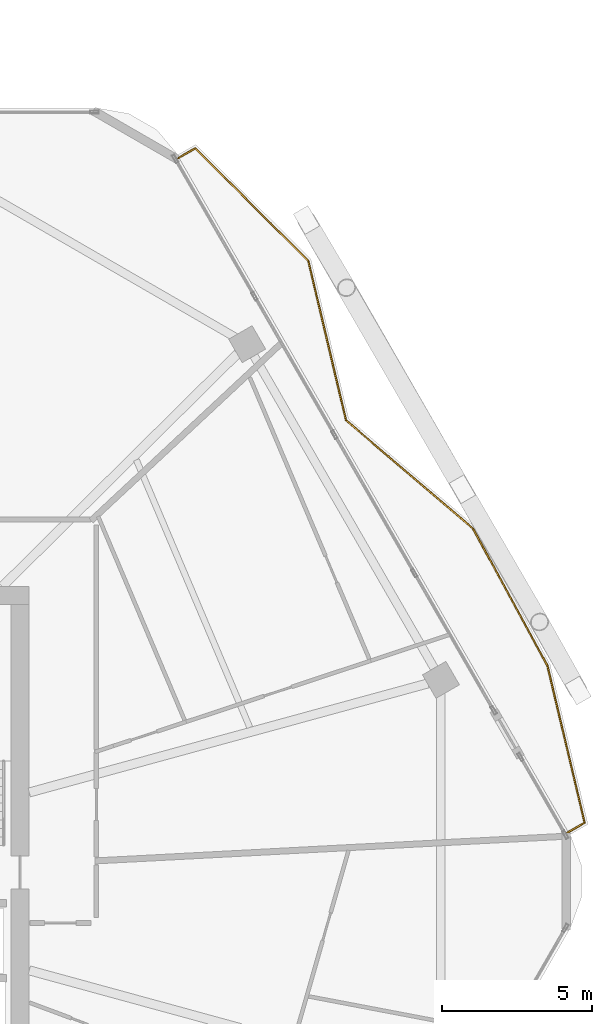
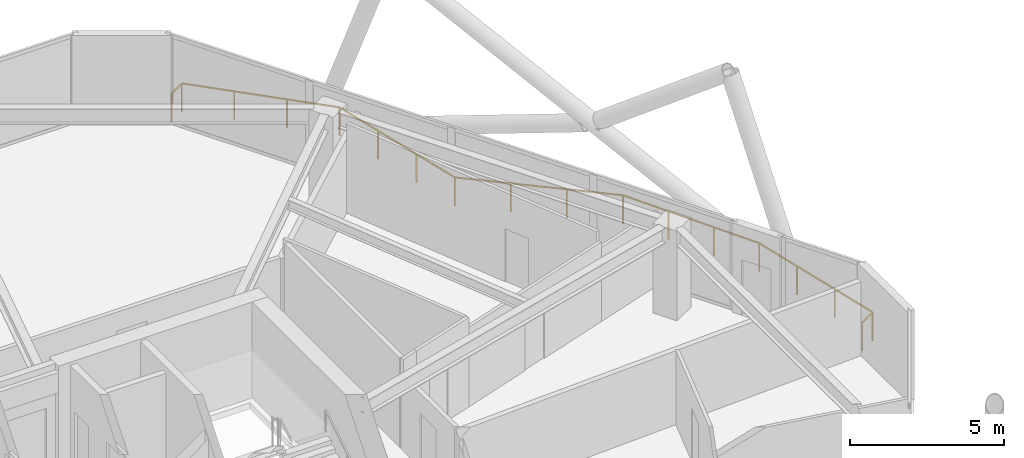
# One storey, part 27 of 27: 1 railing.
"""IFC4 building model written with IfcOpenShell, lengths in metres."""

from ifc_helpers import new_model, si_unit, direction, frame, origin, origin_2d, place, context, subcontext, project, spatial, rectangle, extrude, material, type_object, element, save


model = new_model("IFC4")

# Units and contexts
model_context = context("Model", 3, precision=1e-05, world=origin(), true_north=direction((0.0, 1.0)))
body_context = subcontext(model_context, "Body", "Model", "MODEL_VIEW")
ifc_project = project(units=[si_unit("LENGTHUNIT", "METRE"), si_unit("AREAUNIT", "SQUARE_METRE"), si_unit("VOLUMEUNIT", "CUBIC_METRE"), si_unit("PLANEANGLEUNIT", "RADIAN"), si_unit("MASSUNIT", "GRAM", prefix="KILO")], contexts=[model_context])

# Site, building, storey
site_placement = place(None, origin())
site = spatial("IfcSite", under=ifc_project, at=site_placement, CompositionType="ELEMENT")
building_placement = place(site_placement, origin())
building = spatial("IfcBuilding", under=site, at=building_placement, Name="Zuhravey Tower", CompositionType="ELEMENT")
storey_placement = place(building_placement, frame((0.0, 0.0, 261.60009765625)))
storey = spatial("IfcBuildingStorey", under=building, at=storey_placement, Name="L66", CompositionType="ELEMENT", Elevation=261.60009765625)

# Railing
ifc_material = material(Name="Stainless steel 316 and laminated glass", Category="steel")
railing_type = type_object("IfcRailingType", Name="Balcony & Terrace Guardrail 1150", PredefinedType="BALUSTRADE", material=ifc_material)
railing_placement = place(storey_placement, frame((51.74169921875, 56.031982421875, 0.0)))
element("IfcRailing", 1, at=railing_placement, inside=storey, type_object=railing_type, Name="L66 Face 1 Wave Balcony Guardrail GR1", PredefinedType="BALUSTRADE", context=body_context, shape_type="SweptSolid", body=[
    extrude(rectangle(XDim=0.048095703125, YDim=0.048095703125, at=origin_2d()), frame((0.001708984375, 0.0009765625, 1.1259765625), z_axis=(0.865946540773, 0.500136569873, 0.0), x_axis=(-0.500136569873, 0.865946540773, 0.0)), (0.0, 0.0, 1.0), 0.659423828125),
    extrude(rectangle(XDim=0.048095703125, YDim=0.048095703125, at=origin_2d()), frame((0.575927734375, 0.330322265625, 1.1259765625), z_axis=(0.709130753782, -0.705076998661, 0.0), x_axis=(0.705076998661, 0.709130753782, 0.0)), (0.0, 0.0, 1.0), 5.2958984375),
    extrude(rectangle(XDim=0.048095703125, YDim=0.048095703125, at=origin_2d()), frame((4.333251953125, -3.406982421875, 1.1259765625), z_axis=(0.230437360995, -0.973087160874, 0.0), x_axis=(0.973087160874, 0.230437360995, 0.0)), (0.0, 0.0, 1.0), 5.44580078125),
    extrude(rectangle(XDim=0.048095703125, YDim=0.048095703125, at=origin_2d()), frame((5.590087890625, -8.70947265625, 1.1259765625), z_axis=(0.760711266204, -0.649090417022, 0.0), x_axis=(0.649090417022, 0.760711266204, 0.0)), (0.0, 0.0, 1.0), 5.544921875),
    extrude(rectangle(XDim=0.048095703125, YDim=0.048095703125, at=origin_2d()), frame((9.810791015625, -12.311767578125, 1.1259765625), z_axis=(0.476845647848, -0.878987046621, 0.0), x_axis=(0.878987046621, 0.476845647848, 0.0)), (0.0, 0.0, 1.0), 5.182373046875),
    extrude(rectangle(XDim=0.048095703125, YDim=0.048095703125, at=origin_2d()), frame((12.283447265625, -16.870849609375, 1.1259765625), z_axis=(0.23047660277, -0.97307786717, 0.0), x_axis=(0.97307786717, 0.23047660277, 0.0)), (0.0, 0.0, 1.0), 5.353759765625),
    extrude(rectangle(XDim=0.048095703125, YDim=0.048095703125, at=origin_2d()), frame((13.51611328125, -22.08349609375, 1.1259765625), z_axis=(-0.866045096311, -0.499965889992, 0.0), x_axis=(0.499965889992, -0.866045096311, 0.0)), (0.0, 0.0, 1.0), 0.66162109375),
    extrude(rectangle(XDim=0.0419921875, YDim=0.0419921875, at=origin_2d()), origin(), (0.0, 0.0, 1.0), 1.099853515625),
    extrude(rectangle(XDim=0.0419921875, YDim=0.0419921875, at=origin_2d()), frame((0.574462890625, 0.331787109375, 0.0)), (0.0, 0.0, 1.0), 1.099853515625),
    extrude(rectangle(XDim=0.0419921875, YDim=0.0419921875, at=origin_2d()), frame((1.8271484375, -0.913818359375, 0.0)), (0.0, 0.0, 1.0), 1.099853515625),
    extrude(rectangle(XDim=0.0419921875, YDim=0.0419921875, at=origin_2d()), frame((3.080078125, -2.159423828125, 0.0)), (0.0, 0.0, 1.0), 1.099853515625),
    extrude(rectangle(XDim=0.0419921875, YDim=0.0419921875, at=origin_2d()), frame((4.332763671875, -3.405029296875, 0.0)), (0.0, 0.0, 1.0), 1.099853515625),
    extrude(rectangle(XDim=0.0419921875, YDim=0.0419921875, at=origin_2d()), frame((4.75146484375, -5.1728515625, 0.0)), (0.0, 0.0, 1.0), 1.099853515625),
    extrude(rectangle(XDim=0.0419921875, YDim=0.0419921875, at=origin_2d()), frame((5.169921875, -6.9404296875, 0.0)), (0.0, 0.0, 1.0), 1.099853515625),
    extrude(rectangle(XDim=0.0419921875, YDim=0.0419921875, at=origin_2d()), frame((5.588623046875, -8.708251953125, 0.0)), (0.0, 0.0, 1.0), 1.099853515625),
    extrude(rectangle(XDim=0.0419921875, YDim=0.0419921875, at=origin_2d()), frame((6.99560546875, -9.908935546875, 0.0)), (0.0, 0.0, 1.0), 1.099853515625),
    extrude(rectangle(XDim=0.0419921875, YDim=0.0419921875, at=origin_2d()), frame((8.40283203125, -11.109375, 0.0)), (0.0, 0.0, 1.0), 1.099853515625),
    extrude(rectangle(XDim=0.0419921875, YDim=0.0419921875, at=origin_2d()), frame((9.809814453125, -12.31005859375, 0.0)), (0.0, 0.0, 1.0), 1.099853515625),
    extrude(rectangle(XDim=0.0419921875, YDim=0.0419921875, at=origin_2d()), frame((10.63427734375, -13.82958984375, 0.0)), (0.0, 0.0, 1.0), 1.099853515625),
    extrude(rectangle(XDim=0.0419921875, YDim=0.0419921875, at=origin_2d()), frame((11.45849609375, -15.349365234375, 0.0)), (0.0, 0.0, 1.0), 1.099853515625),
    extrude(rectangle(XDim=0.0419921875, YDim=0.0419921875, at=origin_2d()), frame((12.282958984375, -16.868896484375, 0.0)), (0.0, 0.0, 1.0), 1.099853515625),
    extrude(rectangle(XDim=0.0419921875, YDim=0.0419921875, at=origin_2d()), frame((12.694580078125, -18.606689453125, 0.0)), (0.0, 0.0, 1.0), 1.099853515625),
    extrude(rectangle(XDim=0.0419921875, YDim=0.0419921875, at=origin_2d()), frame((13.106201171875, -20.3447265625, 0.0)), (0.0, 0.0, 1.0), 1.099853515625),
    extrude(rectangle(XDim=0.0419921875, YDim=0.0419921875, at=origin_2d()), frame((13.517822265625, -22.08251953125, 0.0)), (0.0, 0.0, 1.0), 1.099853515625),
    extrude(rectangle(XDim=0.0419921875, YDim=0.0419921875, at=origin_2d()), frame((12.94140625, -22.415283203125, 0.0)), (0.0, 0.0, 1.0), 1.099853515625),
])

save(model, "model.ifc")
